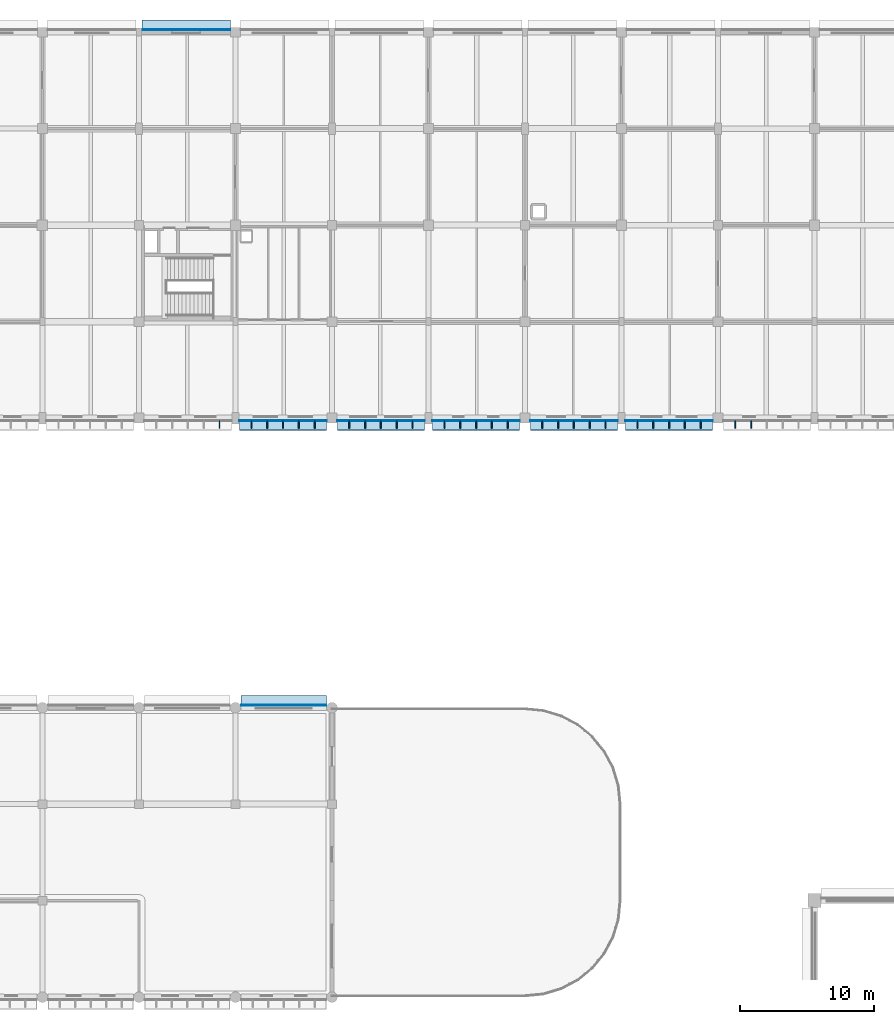
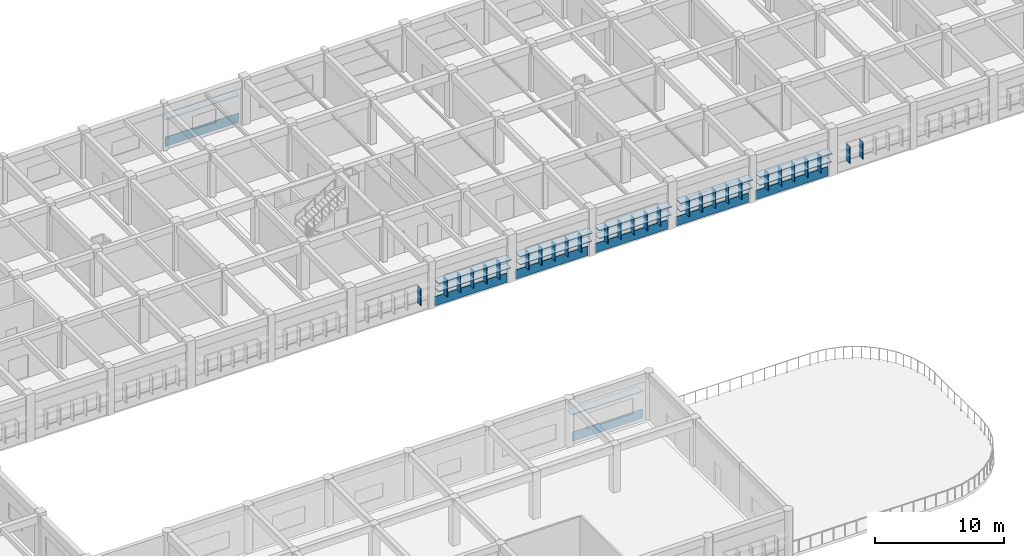
# One storey, part 28 of 61: 47 plates.
"""IFC4 building model written with IfcOpenShell, lengths in metres."""

from ifc_helpers import new_model, si_unit, direction, frame, origin, origin_2d, place, context, subcontext, project, spatial, rectangle, extrude, material, layer, layer_set, type_object, element, save


model = new_model("IFC4")

# Units and contexts
model_context = context("Model", 3, precision=1e-05, world=origin(), true_north=direction((0.0, 1.0)))
body_context = subcontext(model_context, "Body", "Model", "MODEL_VIEW")
ifc_project = project(units=[si_unit("LENGTHUNIT", "METRE"), si_unit("AREAUNIT", "SQUARE_METRE"), si_unit("VOLUMEUNIT", "CUBIC_METRE"), si_unit("PLANEANGLEUNIT", "RADIAN"), si_unit("MASSUNIT", "GRAM", prefix="KILO")], contexts=[model_context])

# Site, building, storey
site_placement = place(None, origin())
site = spatial("IfcSite", under=ifc_project, at=site_placement, CompositionType="ELEMENT")
building_placement = place(site_placement, origin())
building = spatial("IfcBuilding", under=site, at=building_placement, Name="Thalmaran Polytechnic", CompositionType="ELEMENT")
storey_placement = place(building_placement, frame((0.0, 0.0, 9.89990234375)))
storey = spatial("IfcBuildingStorey", under=building, at=storey_placement, Name="L02", CompositionType="ELEMENT", Elevation=9.89990234375)

# Plates
ifc_material_1 = material(Name="Anodised aluminium spandrel band", Category="aluminium")
ifc_layer_1 = layer(ifc_material_1, 0.054931640625, Name="Anodised aluminium spandrel band")
ifc_layer_set_1 = layer_set([ifc_layer_1], Name="Anodised aluminium spandrel band")
plate_type_1 = type_object("IfcPlateType", Name="PT-BD01", PredefinedType="SHEET", material=ifc_layer_set_1)
plate_1_placement = place(storey_placement, frame((61.1201171875, 122.580078125, 0.020263671875), z_axis=(0.0, 0.0, 1.0), x_axis=(1.0, 0.0, 0.0)))
element("IfcPlate", 1, at=plate_1_placement, inside=storey, type_object=plate_type_1, Name="Streamline Horizontal Spandrel Band L02-036", PredefinedType="SHEET", context=body_context, shape_type="SweptSolid", body=[
    extrude(rectangle(XDim=6.60009765625, YDim=0.054931640625, at=origin_2d()), origin(), (0.0, 0.0, 1.0), 0.8798828125),
])
for number, where, z_axis, x_axis, name in (
    (2, (90.050048828125, 93.405029296875, 0.020263671875), (0.0, 0.0, 1.0), (-1.0, 0.0, 0.0), "Streamline Horizontal Spandrel Band L02-099"),
    (3, (82.75, 93.405029296875, 0.020263671875), (0.0, 0.0, 1.0), (-1.0, 0.0, 0.0), "Streamline Horizontal Spandrel Band L02-100"),
    (4, (75.64990234375, 93.405029296875, 0.020263671875), (0.0, 0.0, 1.0), (-1.0, 0.0, 0.0), "Streamline Horizontal Spandrel Band L02-101"),
    (5, (68.35009765625, 93.405029296875, 0.020263671875), (0.0, 0.0, 1.0), (-1.0, 0.0, 0.0), "Streamline Horizontal Spandrel Band L02-102"),
):
    element("IfcPlate", number, at=place(storey_placement, frame(where, z_axis=z_axis, x_axis=x_axis)), inside=storey, type_object=plate_type_1, Name=name, PredefinedType="SHEET", context=body_context, shape_type="SweptSolid", body=[
        extrude(rectangle(XDim=6.510009765625, YDim=0.054931640625, at=origin_2d()), origin(), (0.0, 0.0, 1.0), 0.8798828125),
    ])
plate_2_placement = place(storey_placement, frame((68.39990234375, 72.179931640625, 0.020263671875), z_axis=(0.0, 0.0, 1.0), x_axis=(1.0, 0.0, 0.0)))
element("IfcPlate", 6, at=plate_2_placement, inside=storey, type_object=plate_type_1, Name="Streamline Horizontal Spandrel Band L02-118", PredefinedType="SHEET", context=body_context, shape_type="SweptSolid", body=[
    extrude(rectangle(XDim=6.360107421875, YDim=0.054931640625, at=origin_2d()), origin(), (0.0, 0.0, 1.0), 0.8798828125),
])
plate_3_placement = place(storey_placement, frame((97.14990234375, 93.405029296875, 0.020263671875), z_axis=(0.0, 0.0, 1.0), x_axis=(-1.0, 0.0, 0.0)))
element("IfcPlate", 7, at=plate_3_placement, inside=storey, type_object=plate_type_1, Name="Streamline Horizontal Spandrel Band L02-168", PredefinedType="SHEET", context=body_context, shape_type="SweptSolid", body=[
    extrude(rectangle(XDim=6.510009765625, YDim=0.054931640625, at=origin_2d()), origin(), (0.0, 0.0, 1.0), 0.8798828125),
])
ifc_material_2 = material(Name="Anodised aluminium sun-hood eyebrow", Category="aluminium")
ifc_layer_2 = layer(ifc_material_2, 0.0849609375, Name="Anodised aluminium sun-hood eyebrow")
ifc_layer_set_2 = layer_set([ifc_layer_2], Name="Anodised aluminium sun-hood eyebrow")
plate_type_2 = type_object("IfcPlateType", Name="PT-EB01", PredefinedType="SHEET", material=ifc_layer_set_2)
plate_4_placement = place(storey_placement, frame((61.1201171875, 122.925048828125, 2.517578125), z_axis=(0.0, 0.0, 1.0), x_axis=(1.0, 0.0, 0.0)))
element("IfcPlate", 8, at=plate_4_placement, inside=storey, type_object=plate_type_2, Name="Streamline Sun-Hood Eyebrow L02-036", PredefinedType="SHEET", context=body_context, shape_type="SweptSolid", body=[
    extrude(rectangle(XDim=6.60009765625, YDim=0.760009765625, at=origin_2d()), origin(), (0.0, 0.0, 1.0), 0.0849609375),
])
plate_5_placement = place(storey_placement, frame((90.050048828125, 93.06005859375, 2.517578125), z_axis=(0.0, 0.0, 1.0), x_axis=(-1.0, 0.0, 0.0)))
element("IfcPlate", 9, at=plate_5_placement, inside=storey, type_object=plate_type_2, Name="Streamline Sun-Hood Eyebrow L02-099", PredefinedType="SHEET", context=body_context, shape_type="SweptSolid", body=[
    extrude(rectangle(XDim=6.510009765625, YDim=0.760009765625, at=origin_2d()), origin(), (0.0, 0.0, 1.0), 0.0849609375),
])
plate_6_placement = place(storey_placement, frame((90.050048828125, 93.080078125, 1.74267578125), z_axis=(0.0, 0.0, 1.0), x_axis=(-1.0, 0.0, 0.0)))
element("IfcPlate", 10, at=plate_6_placement, inside=storey, type_object=plate_type_2, Name="Abu Dhabi Horizontal Solar Louvre L02-099", PredefinedType="SHEET", context=body_context, shape_type="SweptSolid", body=[
    extrude(rectangle(XDim=6.469970703125, YDim=0.719970703125, at=origin_2d()), origin(), (0.0, 0.0, 1.0), 0.074951171875),
])
plate_7_placement = place(storey_placement, frame((82.75, 93.06005859375, 2.517578125), z_axis=(0.0, 0.0, 1.0), x_axis=(-1.0, 0.0, 0.0)))
element("IfcPlate", 11, at=plate_7_placement, inside=storey, type_object=plate_type_2, Name="Streamline Sun-Hood Eyebrow L02-100", PredefinedType="SHEET", context=body_context, shape_type="SweptSolid", body=[
    extrude(rectangle(XDim=6.510009765625, YDim=0.760009765625, at=origin_2d()), origin(), (0.0, 0.0, 1.0), 0.0849609375),
])
plate_8_placement = place(storey_placement, frame((82.75, 93.080078125, 1.74267578125), z_axis=(0.0, 0.0, 1.0), x_axis=(-1.0, 0.0, 0.0)))
element("IfcPlate", 12, at=plate_8_placement, inside=storey, type_object=plate_type_2, Name="Abu Dhabi Horizontal Solar Louvre L02-100", PredefinedType="SHEET", context=body_context, shape_type="SweptSolid", body=[
    extrude(rectangle(XDim=6.469970703125, YDim=0.719970703125, at=origin_2d()), origin(), (0.0, 0.0, 1.0), 0.074951171875),
])
plate_9_placement = place(storey_placement, frame((75.64990234375, 93.06005859375, 2.517578125), z_axis=(0.0, 0.0, 1.0), x_axis=(-1.0, 0.0, 0.0)))
element("IfcPlate", 13, at=plate_9_placement, inside=storey, type_object=plate_type_2, Name="Streamline Sun-Hood Eyebrow L02-101", PredefinedType="SHEET", context=body_context, shape_type="SweptSolid", body=[
    extrude(rectangle(XDim=6.510009765625, YDim=0.760009765625, at=origin_2d()), origin(), (0.0, 0.0, 1.0), 0.0849609375),
])
plate_10_placement = place(storey_placement, frame((75.64990234375, 93.080078125, 1.74267578125), z_axis=(0.0, 0.0, 1.0), x_axis=(-1.0, 0.0, 0.0)))
element("IfcPlate", 14, at=plate_10_placement, inside=storey, type_object=plate_type_2, Name="Abu Dhabi Horizontal Solar Louvre L02-101", PredefinedType="SHEET", context=body_context, shape_type="SweptSolid", body=[
    extrude(rectangle(XDim=6.469970703125, YDim=0.719970703125, at=origin_2d()), origin(), (0.0, 0.0, 1.0), 0.074951171875),
])
plate_11_placement = place(storey_placement, frame((68.35009765625, 93.06005859375, 2.517578125), z_axis=(0.0, 0.0, 1.0), x_axis=(-1.0, 0.0, 0.0)))
element("IfcPlate", 15, at=plate_11_placement, inside=storey, type_object=plate_type_2, Name="Streamline Sun-Hood Eyebrow L02-102", PredefinedType="SHEET", context=body_context, shape_type="SweptSolid", body=[
    extrude(rectangle(XDim=6.510009765625, YDim=0.760009765625, at=origin_2d()), origin(), (0.0, 0.0, 1.0), 0.0849609375),
])
plate_12_placement = place(storey_placement, frame((68.35009765625, 93.080078125, 1.74267578125), z_axis=(0.0, 0.0, 1.0), x_axis=(-1.0, 0.0, 0.0)))
element("IfcPlate", 16, at=plate_12_placement, inside=storey, type_object=plate_type_2, Name="Abu Dhabi Horizontal Solar Louvre L02-102", PredefinedType="SHEET", context=body_context, shape_type="SweptSolid", body=[
    extrude(rectangle(XDim=6.469970703125, YDim=0.719970703125, at=origin_2d()), origin(), (0.0, 0.0, 1.0), 0.074951171875),
])
plate_13_placement = place(storey_placement, frame((68.39990234375, 72.52490234375, 2.517578125), z_axis=(0.0, 0.0, 1.0), x_axis=(1.0, 0.0, 0.0)))
element("IfcPlate", 17, at=plate_13_placement, inside=storey, type_object=plate_type_2, Name="Streamline Sun-Hood Eyebrow L02-118", PredefinedType="SHEET", context=body_context, shape_type="SweptSolid", body=[
    extrude(rectangle(XDim=6.360107421875, YDim=0.760009765625, at=origin_2d()), origin(), (0.0, 0.0, 1.0), 0.0849609375),
])
plate_14_placement = place(storey_placement, frame((97.14990234375, 93.06005859375, 2.517578125), z_axis=(0.0, 0.0, 1.0), x_axis=(-1.0, 0.0, 0.0)))
element("IfcPlate", 18, at=plate_14_placement, inside=storey, type_object=plate_type_2, Name="Streamline Sun-Hood Eyebrow L02-168", PredefinedType="SHEET", context=body_context, shape_type="SweptSolid", body=[
    extrude(rectangle(XDim=6.510009765625, YDim=0.760009765625, at=origin_2d()), origin(), (0.0, 0.0, 1.0), 0.0849609375),
])
plate_15_placement = place(storey_placement, frame((97.14990234375, 93.080078125, 1.74267578125), z_axis=(0.0, 0.0, 1.0), x_axis=(-1.0, 0.0, 0.0)))
element("IfcPlate", 19, at=plate_15_placement, inside=storey, type_object=plate_type_2, Name="Abu Dhabi Horizontal Solar Louvre L02-168", PredefinedType="SHEET", context=body_context, shape_type="SweptSolid", body=[
    extrude(rectangle(XDim=6.469970703125, YDim=0.719970703125, at=origin_2d()), origin(), (0.0, 0.0, 1.0), 0.074951171875),
])
ifc_material_3 = material(Name="Anodised bronze brise-soleil fin")
ifc_layer_3 = layer(ifc_material_3, 0.06494140625, Name="Anodised bronze brise-soleil fin")
ifc_layer_set_3 = layer_set([ifc_layer_3], Name="Anodised bronze brise-soleil fin")
plate_type_3 = type_object("IfcPlateType", Name="PT-FN01", PredefinedType="SHEET", material=ifc_layer_set_3)
for number, where, z_axis, x_axis, name in (
    (20, (92.407958984375, 93.139892578125, 0.895263671875), (0.0, 0.0, 1.0), (-1.0, 0.0, 0.0), "Abu Dhabi Solar Brise-Soleil Fin L02-099-1"),
    (21, (91.22900390625, 93.139892578125, 0.895263671875), (0.0, 0.0, 1.0), (-1.0, 0.0, 0.0), "Abu Dhabi Solar Brise-Soleil Fin L02-099-2"),
    (22, (90.050048828125, 93.139892578125, 0.895263671875), (0.0, 0.0, 1.0), (-1.0, 0.0, 0.0), "Abu Dhabi Solar Brise-Soleil Fin L02-099-3"),
    (23, (88.87109375, 93.139892578125, 0.895263671875), (0.0, 0.0, 1.0), (-1.0, 0.0, 0.0), "Abu Dhabi Solar Brise-Soleil Fin L02-099-4"),
    (24, (87.69189453125, 93.139892578125, 0.895263671875), (0.0, 0.0, 1.0), (-1.0, 0.0, 0.0), "Abu Dhabi Solar Brise-Soleil Fin L02-099-5"),
    (25, (85.10791015625, 93.139892578125, 0.895263671875), (0.0, 0.0, 1.0), (-1.0, 0.0, 0.0), "Abu Dhabi Solar Brise-Soleil Fin L02-100-1"),
    (26, (83.928955078125, 93.139892578125, 0.895263671875), (0.0, 0.0, 1.0), (-1.0, 0.0, 0.0), "Abu Dhabi Solar Brise-Soleil Fin L02-100-2"),
    (27, (82.75, 93.139892578125, 0.895263671875), (0.0, 0.0, 1.0), (-1.0, 0.0, 0.0), "Abu Dhabi Solar Brise-Soleil Fin L02-100-3"),
    (28, (81.571044921875, 93.139892578125, 0.895263671875), (0.0, 0.0, 1.0), (-1.0, 0.0, 0.0), "Abu Dhabi Solar Brise-Soleil Fin L02-100-4"),
    (29, (80.39208984375, 93.139892578125, 0.895263671875), (0.0, 0.0, 1.0), (-1.0, 0.0, 0.0), "Abu Dhabi Solar Brise-Soleil Fin L02-100-5"),
    (30, (78.008056640625, 93.139892578125, 0.895263671875), (0.0, 0.0, 1.0), (-1.0, 0.0, 0.0), "Abu Dhabi Solar Brise-Soleil Fin L02-101-1"),
    (31, (76.8291015625, 93.139892578125, 0.895263671875), (0.0, 0.0, 1.0), (-1.0, 0.0, 0.0), "Abu Dhabi Solar Brise-Soleil Fin L02-101-2"),
    (32, (75.64990234375, 93.139892578125, 0.895263671875), (0.0, 0.0, 1.0), (-1.0, 0.0, 0.0), "Abu Dhabi Solar Brise-Soleil Fin L02-101-3"),
    (33, (74.470947265625, 93.139892578125, 0.895263671875), (0.0, 0.0, 1.0), (-1.0, 0.0, 0.0), "Abu Dhabi Solar Brise-Soleil Fin L02-101-4"),
    (34, (73.2919921875, 93.139892578125, 0.895263671875), (0.0, 0.0, 1.0), (-1.0, 0.0, 0.0), "Abu Dhabi Solar Brise-Soleil Fin L02-101-5"),
    (35, (70.7080078125, 93.139892578125, 0.895263671875), (0.0, 0.0, 1.0), (-1.0, 0.0, 0.0), "Abu Dhabi Solar Brise-Soleil Fin L02-102-1"),
    (36, (69.529052734375, 93.139892578125, 0.895263671875), (0.0, 0.0, 1.0), (-1.0, 0.0, 0.0), "Abu Dhabi Solar Brise-Soleil Fin L02-102-2"),
    (37, (68.35009765625, 93.139892578125, 0.895263671875), (0.0, 0.0, 1.0), (-1.0, 0.0, 0.0), "Abu Dhabi Solar Brise-Soleil Fin L02-102-3"),
    (38, (67.1708984375, 93.139892578125, 0.895263671875), (0.0, 0.0, 1.0), (-1.0, 0.0, 0.0), "Abu Dhabi Solar Brise-Soleil Fin L02-102-4"),
    (39, (65.991943359375, 93.139892578125, 0.895263671875), (0.0, 0.0, 1.0), (-1.0, 0.0, 0.0), "Abu Dhabi Solar Brise-Soleil Fin L02-102-5"),
    (40, (63.60791015625, 93.139892578125, 0.895263671875), (0.0, 0.0, 1.0), (-1.0, 0.0, 0.0), "Abu Dhabi Solar Brise-Soleil Fin L02-103-1"),
    (41, (103.27099609375, 93.139892578125, 0.895263671875), (0.0, 0.0, 1.0), (-1.0, 0.0, 0.0), "Abu Dhabi Solar Brise-Soleil Fin L02-167-4"),
    (42, (102.092041015625, 93.139892578125, 0.895263671875), (0.0, 0.0, 1.0), (-1.0, 0.0, 0.0), "Abu Dhabi Solar Brise-Soleil Fin L02-167-5"),
    (43, (99.508056640625, 93.139892578125, 0.895263671875), (0.0, 0.0, 1.0), (-1.0, 0.0, 0.0), "Abu Dhabi Solar Brise-Soleil Fin L02-168-1"),
    (44, (98.3291015625, 93.139892578125, 0.895263671875), (0.0, 0.0, 1.0), (-1.0, 0.0, 0.0), "Abu Dhabi Solar Brise-Soleil Fin L02-168-2"),
    (45, (97.14990234375, 93.139892578125, 0.895263671875), (0.0, 0.0, 1.0), (-1.0, 0.0, 0.0), "Abu Dhabi Solar Brise-Soleil Fin L02-168-3"),
    (46, (95.970947265625, 93.139892578125, 0.895263671875), (0.0, 0.0, 1.0), (-1.0, 0.0, 0.0), "Abu Dhabi Solar Brise-Soleil Fin L02-168-4"),
    (47, (94.7919921875, 93.139892578125, 0.895263671875), (0.0, 0.0, 1.0), (-1.0, 0.0, 0.0), "Abu Dhabi Solar Brise-Soleil Fin L02-168-5"),
):
    element("IfcPlate", number, at=place(storey_placement, frame(where, z_axis=z_axis, x_axis=x_axis)), inside=storey, type_object=plate_type_3, Name=name, PredefinedType="SHEET", context=body_context, shape_type="SweptSolid", body=[
        extrude(rectangle(XDim=0.06494140625, YDim=0.56005859375, at=origin_2d()), origin(), (0.0, 0.0, 1.0), 1.64990234375),
    ])

save(model, "model.ifc")
